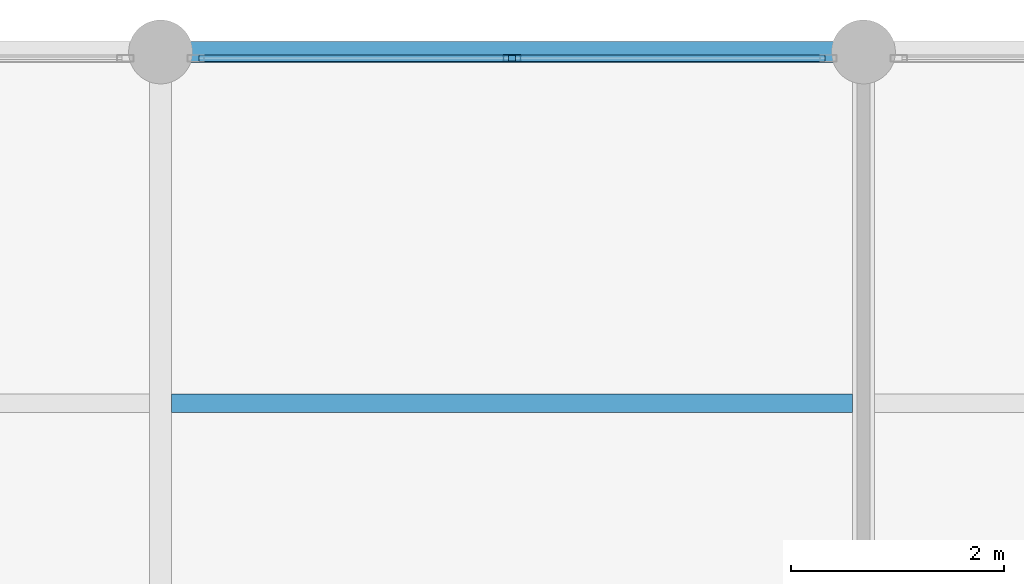
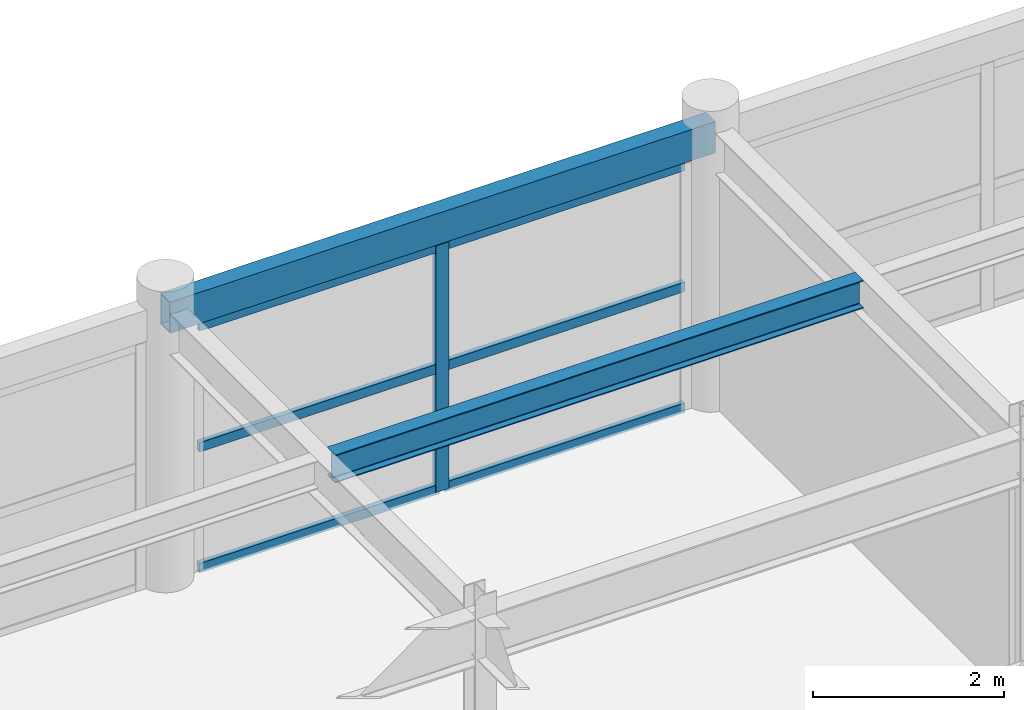
# One storey, part 8 of 17: 7 members, 2 beams, 1 element without a shape of its own.
"""IFC4 building model written with IfcOpenShell, lengths in metres."""

from ifc_helpers import new_model, si_unit, direction, frame, origin, origin_2d, place, context, subcontext, project, spatial, hollow_rectangle, i_section, extrude, material, material_profile, profile_set, type_object, element, aggregate, save


model = new_model("IFC4")

# Units and contexts
model_context = context("Model", 3, precision=1e-05, world=origin(), true_north=direction((0.0, 1.0)))
body_context = subcontext(model_context, "Body", "Model", "MODEL_VIEW")
ifc_project = project(units=[si_unit("LENGTHUNIT", "METRE"), si_unit("AREAUNIT", "SQUARE_METRE"), si_unit("VOLUMEUNIT", "CUBIC_METRE"), si_unit("PLANEANGLEUNIT", "RADIAN"), si_unit("MASSUNIT", "GRAM", prefix="KILO")], contexts=[model_context])

# Site, building, storey
site_placement = place(None, origin())
site = spatial("IfcSite", under=ifc_project, at=site_placement, CompositionType="ELEMENT")
building_placement = place(site_placement, origin())
building = spatial("IfcBuilding", under=site, at=building_placement, Name="Karori Crest Natural Sciences Institute", CompositionType="ELEMENT")
storey_placement = place(building_placement, frame((0.0, 0.0, 38.14990234375)))
storey = spatial("IfcBuildingStorey", under=building, at=storey_placement, Name="L09", CompositionType="ELEMENT", Elevation=38.14990234375)

# Beams
ifc_material_1 = material(Name="Structural steel AS/NZS 3679.1 Grade 350", Category="steel")
ifc_material_profile_1 = material_profile(ifc_material_1, i_section(OverallWidth=0.172119140625, OverallDepth=0.35888671875, WebThickness=0.008056640625, FlangeThickness=0.012939453125, FilletRadius=0.010986328125, at=origin_2d()), Name="360UB56.7")
ifc_profile_set_1 = profile_set([ifc_material_profile_1], Name="Structural steel AS/NZS 3679.1 Grade 350")
beam_type_1 = type_object("IfcBeamType", Name="BT-08", PredefinedType="BEAM", material=ifc_profile_set_1)
beam_1_placement = place(storey_placement, frame((130.1044921875, 17.300048828125, 3.390625), z_axis=(1.0, 0.0, 0.0), x_axis=(0.0, 1.0, 0.0)))
element("IfcBeam", 1, at=beam_1_placement, inside=storey, type_object=beam_type_1, Name="Beam B-2822", PredefinedType="BEAM", context=body_context, shape_type="SweptSolid", body=[
    extrude(i_section(OverallWidth=0.172119140625, OverallDepth=0.35888671875, WebThickness=0.008056640625, FlangeThickness=0.012939453125, FilletRadius=0.010986328125, at=origin_2d()), origin(), (0.0, 0.0, 1.0), 6.39111328125),
])
ifc_material_2 = material(Name="Hollow structural steel AS/NZS 1163 Grade C350", Category="steel")
ifc_material_profile_2 = material_profile(ifc_material_2, hollow_rectangle(XDim=0.199951171875, YDim=0.39990234375, WallThickness=0.012451171875, at=origin_2d()), Name="RHS400x200x12.5")
ifc_profile_set_2 = profile_set([ifc_material_profile_2], Name="Hollow structural steel AS/NZS 1163 Grade C350")
beam_type_2 = type_object("IfcBeamType", Name="BT-14", PredefinedType="SPANDREL", material=ifc_profile_set_2)
beam_2_placement = place(storey_placement, frame((130.0, 20.60009765625, 3.3701171875), z_axis=(1.0, 0.0, 0.0), x_axis=(0.0, 1.0, 0.0)))
element("IfcBeam", 2, at=beam_2_placement, inside=storey, type_object=beam_type_2, Name="Beam B-2785", PredefinedType="SPANDREL", context=body_context, shape_type="SweptSolid", body=[
    extrude(hollow_rectangle(XDim=0.199951171875, YDim=0.39990234375, WallThickness=0.012451171875, at=origin_2d()), origin(), (0.0, 0.0, 1.0), 6.60009765625),
])

# Curtain wall, members
ifc_material_3 = material(Name="Anodised architectural aluminium 6063-T6", Category="aluminium")
curtain_wall_type = type_object("IfcCurtainWallType", Name="CWT-20", PredefinedType="NOTDEFINED", material=ifc_material_3)
curtain_wall_placement = place(storey_placement, origin())
curtain_wall = element("IfcCurtainWall", 3, at=curtain_wall_placement, inside=storey, type_object=curtain_wall_type, Name="Curtain wall CW-0376", PredefinedType="NOTDEFINED")
ifc_material_profile_3 = material_profile(ifc_material_3, hollow_rectangle(XDim=0.06494140625, YDim=0.159912109375, WallThickness=0.00390625, at=origin_2d()), Name="CWM160x65x4")
ifc_profile_set_3 = profile_set([ifc_material_profile_3], Name="Anodised architectural aluminium 6063-T6")
member_type_1 = type_object("IfcMemberType", Name="CWM-01", PredefinedType="MULLION", material=ifc_profile_set_3)
member_1_placement = place(storey_placement, frame((133.300048828125, 20.5400390625, 0.0), z_axis=(0.0, 0.0, 1.0), x_axis=(0.0, 1.0, 0.0)))
member_1 = element("IfcMember", 4, at=member_1_placement, type_object=member_type_1, Name="CW-0376 mullion 2", PredefinedType="MULLION", context=body_context, shape_type="SweptSolid", body=[
    extrude(hollow_rectangle(XDim=0.06494140625, YDim=0.159912109375, WallThickness=0.00390625, at=origin_2d()), origin(), (0.0, 0.0, 1.0), 3.155029296875),
])
ifc_material_profile_4 = material_profile(ifc_material_3, hollow_rectangle(XDim=0.06005859375, YDim=0.1201171875, WallThickness=0.00390625, at=origin_2d()), Name="CWT120x60x4")
ifc_profile_set_4 = profile_set([ifc_material_profile_4], Name="Anodised architectural aluminium 6063-T6")
member_type_2 = type_object("IfcMemberType", Name="CWT-TR1", PredefinedType="USERDEFINED", material=ifc_profile_set_4)
member_2_placement = place(storey_placement, frame((130.363037109375, 20.5400390625, 0.030029296875), z_axis=(1.0, 0.0, 0.0), x_axis=(0.0, 1.0, 0.0)))
member_2 = element("IfcMember", 5, at=member_2_placement, type_object=member_type_2, Name="CW-0376 transom 1.1", ObjectType="TRANSOM", PredefinedType="USERDEFINED", context=body_context, shape_type="SweptSolid", body=[
    extrude(hollow_rectangle(XDim=0.06005859375, YDim=0.1201171875, WallThickness=0.00390625, at=origin_2d()), origin(), (0.0, 0.0, 1.0), 2.904541015625),
])
member_3_placement = place(storey_placement, frame((130.363037109375, 20.5400390625, 1.57763671875), z_axis=(1.0, 0.0, 0.0), x_axis=(0.0, 1.0, 0.0)))
member_3 = element("IfcMember", 6, at=member_3_placement, type_object=member_type_2, Name="CW-0376 transom 1.2", ObjectType="TRANSOM", PredefinedType="USERDEFINED", context=body_context, shape_type="SweptSolid", body=[
    extrude(hollow_rectangle(XDim=0.06005859375, YDim=0.1201171875, WallThickness=0.00390625, at=origin_2d()), origin(), (0.0, 0.0, 1.0), 2.904541015625),
])
member_4_placement = place(storey_placement, frame((130.363037109375, 20.5400390625, 3.125), z_axis=(1.0, 0.0, 0.0), x_axis=(0.0, 1.0, 0.0)))
member_4 = element("IfcMember", 7, at=member_4_placement, type_object=member_type_2, Name="CW-0376 transom 1.3", ObjectType="TRANSOM", PredefinedType="USERDEFINED", context=body_context, shape_type="SweptSolid", body=[
    extrude(hollow_rectangle(XDim=0.06005859375, YDim=0.1201171875, WallThickness=0.00390625, at=origin_2d()), origin(), (0.0, 0.0, 1.0), 2.904541015625),
])
member_5_placement = place(storey_placement, frame((133.33251953125, 20.5400390625, 0.030029296875), z_axis=(1.0, 0.0, 0.0), x_axis=(0.0, 1.0, 0.0)))
member_5 = element("IfcMember", 8, at=member_5_placement, type_object=member_type_2, Name="CW-0376 transom 2.1", ObjectType="TRANSOM", PredefinedType="USERDEFINED", context=body_context, shape_type="SweptSolid", body=[
    extrude(hollow_rectangle(XDim=0.06005859375, YDim=0.1201171875, WallThickness=0.00390625, at=origin_2d()), origin(), (0.0, 0.0, 1.0), 2.904541015625),
])
member_6_placement = place(storey_placement, frame((133.33251953125, 20.5400390625, 1.57763671875), z_axis=(1.0, 0.0, 0.0), x_axis=(0.0, 1.0, 0.0)))
member_6 = element("IfcMember", 9, at=member_6_placement, type_object=member_type_2, Name="CW-0376 transom 2.2", ObjectType="TRANSOM", PredefinedType="USERDEFINED", context=body_context, shape_type="SweptSolid", body=[
    extrude(hollow_rectangle(XDim=0.06005859375, YDim=0.1201171875, WallThickness=0.00390625, at=origin_2d()), origin(), (0.0, 0.0, 1.0), 2.904541015625),
])
member_7_placement = place(storey_placement, frame((133.33251953125, 20.5400390625, 3.125), z_axis=(1.0, 0.0, 0.0), x_axis=(0.0, 1.0, 0.0)))
member_7 = element("IfcMember", 10, at=member_7_placement, type_object=member_type_2, Name="CW-0376 transom 2.3", ObjectType="TRANSOM", PredefinedType="USERDEFINED", context=body_context, shape_type="SweptSolid", body=[
    extrude(hollow_rectangle(XDim=0.06005859375, YDim=0.1201171875, WallThickness=0.00390625, at=origin_2d()), origin(), (0.0, 0.0, 1.0), 2.904541015625),
])
aggregate(curtain_wall, [member_1, member_2, member_3, member_4, member_5, member_6, member_7])

save(model, "model.ifc")
